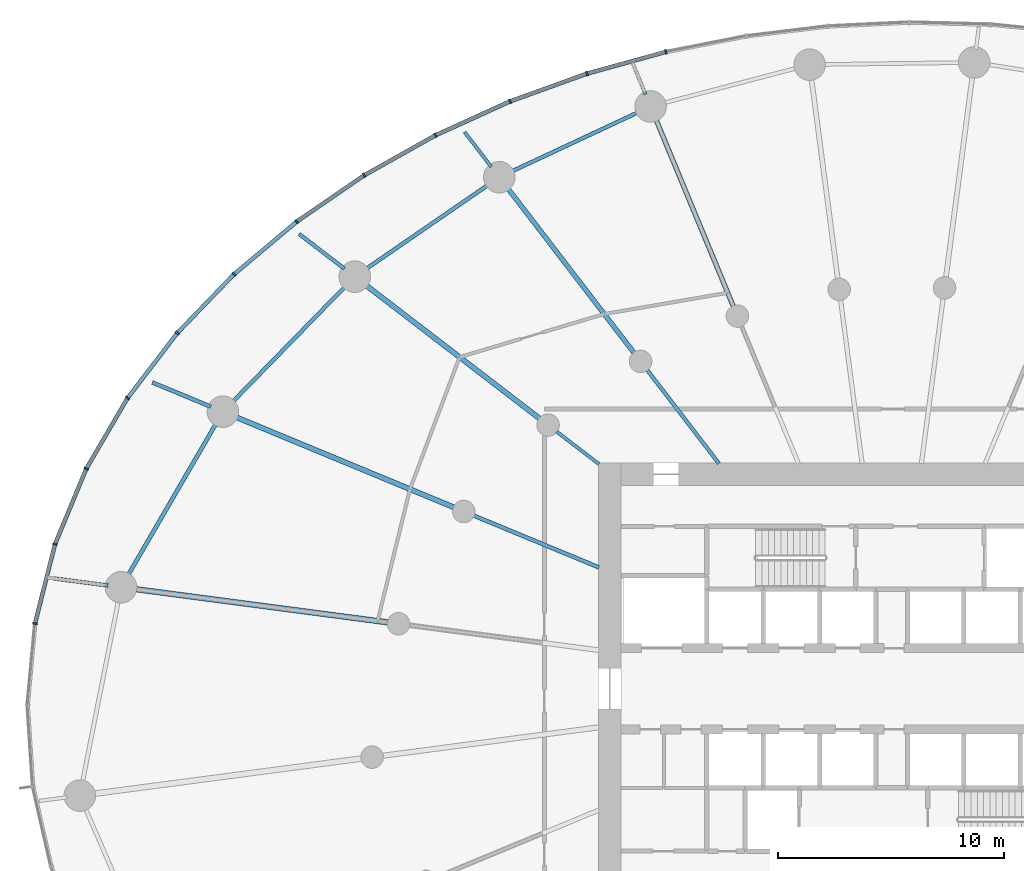
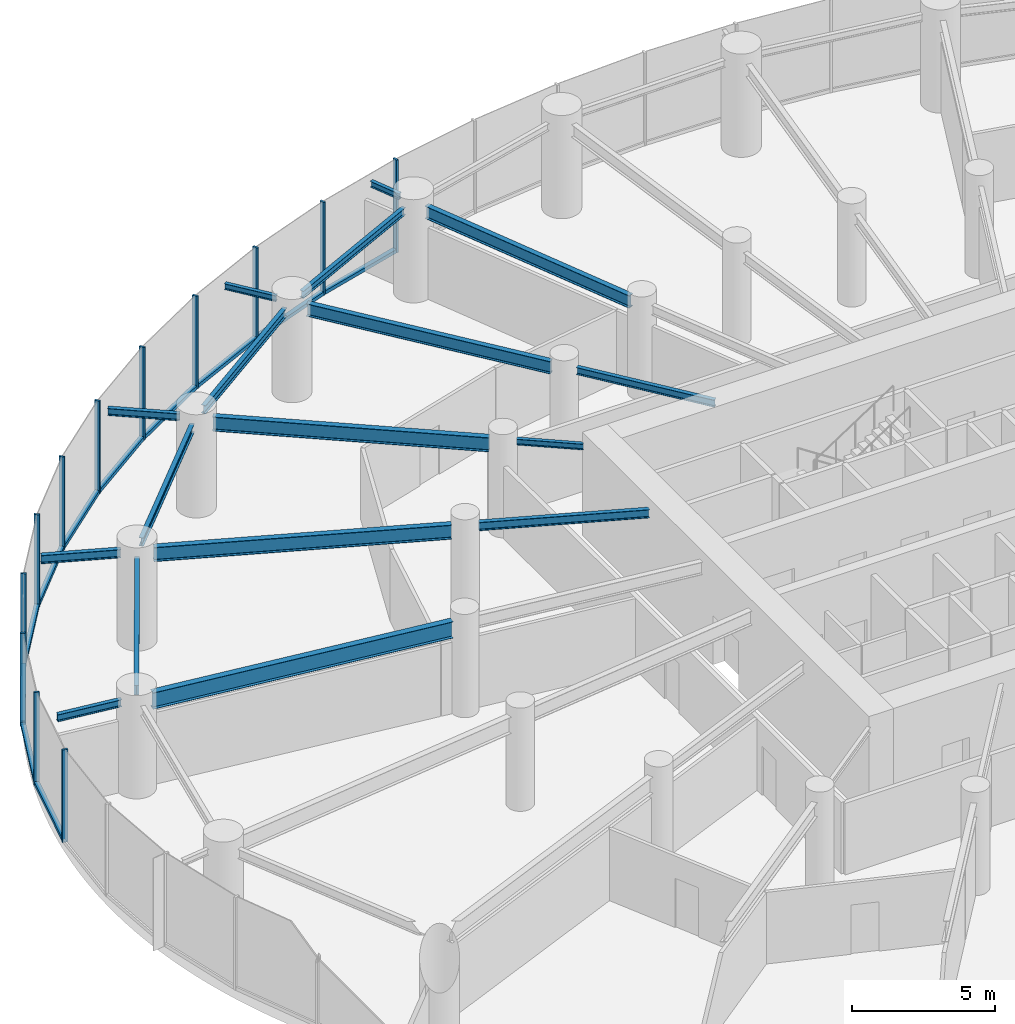
# One storey, part 6 of 19: 23 members, 17 beams, 3 elements without a shape of their own.
"""IFC4 building model written with IfcOpenShell, lengths in metres."""

from ifc_helpers import new_model, si_unit, direction, frame, origin, origin_2d, place, context, subcontext, project, spatial, rectangle, i_section, extrude, source, transform, mapped, material, layer, layer_set, material_profile, profile_set, type_object, element, aggregate, save


model = new_model("IFC4")

# Units and contexts
model_context = context("Model", 3, precision=1e-05, world=origin(), true_north=direction((0.0, 1.0)))
body_context = subcontext(model_context, "Body", "Model", "MODEL_VIEW")
ifc_project = project(units=[si_unit("LENGTHUNIT", "METRE"), si_unit("AREAUNIT", "SQUARE_METRE"), si_unit("VOLUMEUNIT", "CUBIC_METRE"), si_unit("PLANEANGLEUNIT", "RADIAN"), si_unit("MASSUNIT", "GRAM", prefix="KILO")], contexts=[model_context])

# Site, building, storey
site_placement = place(None, origin())
site = spatial("IfcSite", under=ifc_project, at=site_placement, CompositionType="ELEMENT")
building_placement = place(site_placement, origin())
building = spatial("IfcBuilding", under=site, at=building_placement, Name="Spindrift Exchange Tower", CompositionType="ELEMENT")
storey_placement = place(building_placement, frame((0.0, 0.0, 31.39990234375)))
storey = spatial("IfcBuildingStorey", under=building, at=storey_placement, Name="L07", CompositionType="ELEMENT", Elevation=31.39990234375)

# Beams
ifc_material_1 = material(Name="Steel Grade 300", Category="steel")
ifc_material_profile_1 = material_profile(ifc_material_1, i_section(OverallWidth=0.208984375, OverallDepth=0.532958984375, WebThickness=0.01025390625, FlangeThickness=0.015625, FilletRadius=0.013916015625, at=origin_2d()), Name="530UB92.4")
ifc_profile_set_1 = profile_set([ifc_material_profile_1], Name="Steel Grade 300")
beam_type_1 = type_object("IfcBeamType", Name="Floor Beam 530UB92.4 Steel Grade 300", PredefinedType="BEAM", material=ifc_profile_set_1)
shared_shape_1 = source(origin(), body_context, "Body", "SweptSolid", [
    extrude(i_section(OverallWidth=0.208984375, OverallDepth=0.532958984375, WebThickness=0.01025390625, FlangeThickness=0.015625, FilletRadius=0.013916015625, at=origin_2d()), origin(), (0.0, 0.0, 1.0), 8.99658203125),
])
beam_1_placement = place(storey_placement, frame((44.974609375, 64.9609375, 3.68359375), z_axis=(-0.382685731718, 0.923878580085, 0.0), x_axis=(-0.923878580085, -0.382685731718, 0.0)))
element("IfcBeam", 1, at=beam_1_placement, inside=storey, type_object=beam_type_1, Name="L07 radial beam R08B", PredefinedType="BEAM", context=body_context, shape_type="MappedRepresentation", body=[
    mapped(shared_shape_1, transform((0.0, 0.0, 0.0), scale=1.0)),
])
ifc_material_profile_2 = material_profile(ifc_material_1, i_section(OverallWidth=0.1650390625, OverallDepth=0.303955078125, WebThickness=0.006103515625, FlangeThickness=0.01025390625, FilletRadius=0.011474609375, at=origin_2d()), Name="310UB40.4")
ifc_profile_set_2 = profile_set([ifc_material_profile_2], Name="Steel Grade 300")
beam_type_2 = type_object("IfcBeamType", Name="Floor Beam 310UB40.4 Steel Grade 300", PredefinedType="BEAM", material=ifc_profile_set_2)
shared_shape_2 = source(origin(), body_context, "Body", "SweptSolid", [
    extrude(i_section(OverallWidth=0.1650390625, OverallDepth=0.303955078125, WebThickness=0.006103515625, FlangeThickness=0.01025390625, FilletRadius=0.011474609375, at=origin_2d()), origin(), (0.0, 0.0, 1.0), 5.224609375),
])
beam_2_placement = place(storey_placement, frame((44.3388671875, 57.984130859375, 3.798095703125), z_axis=(-0.608741499316, 0.793368632485, 0.0), x_axis=(-0.793368632485, -0.608741499316, 0.0)))
element("IfcBeam", 2, at=beam_2_placement, inside=storey, type_object=beam_type_2, Name="L07 radial beam R09A", PredefinedType="BEAM", context=body_context, shape_type="MappedRepresentation", body=[
    mapped(shared_shape_2, transform((0.0, 0.0, 0.0), scale=1.0)),
])
shared_shape_3 = source(origin(), body_context, "Body", "SweptSolid", [
    extrude(i_section(OverallWidth=0.208984375, OverallDepth=0.532958984375, WebThickness=0.01025390625, FlangeThickness=0.015625, FilletRadius=0.013916015625, at=origin_2d()), origin(), (0.0, 0.0, 1.0), 9.227783203125),
])
beam_3_placement = place(storey_placement, frame((40.573974609375, 62.890625, 3.68359375), z_axis=(-0.608747534474, 0.79336400175, 0.0), x_axis=(-0.79336400175, -0.608747534474, 0.0)))
element("IfcBeam", 3, at=beam_3_placement, inside=storey, type_object=beam_type_1, Name="L07 radial beam R09B", PredefinedType="BEAM", context=body_context, shape_type="MappedRepresentation", body=[
    mapped(shared_shape_3, transform((0.0, 0.0, 0.0), scale=1.0)),
])
ifc_material_profile_3 = material_profile(ifc_material_1, i_section(OverallWidth=0.14599609375, OverallDepth=0.251953125, WebThickness=0.006103515625, FlangeThickness=0.008544921875, FilletRadius=0.011962890625, at=origin_2d()), Name="250UB31.4")
ifc_profile_set_3 = profile_set([ifc_material_profile_3], Name="Steel Grade 300")
beam_type_3 = type_object("IfcBeamType", Name="Floor Beam 250UB31.4 Steel Grade 300", PredefinedType="BEAM", material=ifc_profile_set_3)
shared_shape_4 = source(origin(), body_context, "Body", "SweptSolid", [
    extrude(i_section(OverallWidth=0.14599609375, OverallDepth=0.251953125, WebThickness=0.006103515625, FlangeThickness=0.008544921875, FilletRadius=0.011962890625, at=origin_2d()), origin(), (0.0, 0.0, 1.0), 2.353759765625),
])
beam_4_placement = place(storey_placement, frame((39.015869140625, 57.963134765625, 3.82421875), z_axis=(-0.793367573265, 0.608742879787, 0.0), x_axis=(-0.608742879787, -0.793367573265, 0.0)))
element("IfcBeam", 4, at=beam_4_placement, inside=storey, type_object=beam_type_3, Name="L07 radial beam R10A", PredefinedType="BEAM", context=body_context, shape_type="MappedRepresentation", body=[
    mapped(shared_shape_4, transform((0.0, 0.0, 0.0), scale=1.0)),
])
ifc_material_profile_4 = material_profile(ifc_material_1, i_section(OverallWidth=0.22802734375, OverallDepth=0.60693359375, WebThickness=0.01123046875, FlangeThickness=0.017333984375, FilletRadius=0.013916015625, at=origin_2d()), Name="610UB113")
ifc_profile_set_4 = profile_set([ifc_material_profile_4], Name="Steel Grade 300")
beam_type_4 = type_object("IfcBeamType", Name="Floor Beam 610UB113 Steel Grade 300", PredefinedType="BEAM", material=ifc_profile_set_4)
shared_shape_5 = source(origin(), body_context, "Body", "SweptSolid", [
    extrude(i_section(OverallWidth=0.22802734375, OverallDepth=0.60693359375, WebThickness=0.01123046875, FlangeThickness=0.017333984375, FilletRadius=0.013916015625, at=origin_2d()), origin(), (0.0, 0.0, 1.0), 9.73974609375),
])
beam_5_placement = place(storey_placement, frame((36.38671875, 59.98046875, 3.646484375), z_axis=(-0.793352119621, 0.608763019814, 0.0), x_axis=(-0.608763019814, -0.793352119621, 0.0)))
element("IfcBeam", 5, at=beam_5_placement, inside=storey, type_object=beam_type_4, Name="L07 radial beam R10B", PredefinedType="BEAM", context=body_context, shape_type="MappedRepresentation", body=[
    mapped(shared_shape_5, transform((0.0, 0.0, 0.0), scale=1.0)),
])
ifc_material_profile_5 = material_profile(ifc_material_1, i_section(OverallWidth=0.172119140625, OverallDepth=0.35888671875, WebThickness=0.008056640625, FlangeThickness=0.012939453125, FilletRadius=0.013916015625, at=origin_2d()), Name="360UB56.7")
ifc_profile_set_5 = profile_set([ifc_material_profile_5], Name="Steel Grade 300")
beam_type_5 = type_object("IfcBeamType", Name="Floor Beam 360UB56.7 Steel Grade 300", PredefinedType="BEAM", material=ifc_profile_set_5)
shared_shape_6 = source(origin(), body_context, "Body", "SweptSolid", [
    extrude(i_section(OverallWidth=0.172119140625, OverallDepth=0.35888671875, WebThickness=0.008056640625, FlangeThickness=0.012939453125, FilletRadius=0.013916015625, at=origin_2d()), origin(), (0.0, 0.0, 1.0), 6.004638671875),
])
beam_6_placement = place(storey_placement, frame((39.0185546875, 53.377197265625, 3.7705078125), z_axis=(-0.923882044911, 0.38267736684, 0.0), x_axis=(-0.38267736684, -0.923882044911, 0.0)))
element("IfcBeam", 6, at=beam_6_placement, inside=storey, type_object=beam_type_5, Name="L07 radial beam R11A", PredefinedType="BEAM", context=body_context, shape_type="MappedRepresentation", body=[
    mapped(shared_shape_6, transform((0.0, 0.0, 0.0), scale=1.0)),
])
shared_shape_7 = source(origin(), body_context, "Body", "SweptSolid", [
    extrude(i_section(OverallWidth=0.22802734375, OverallDepth=0.60693359375, WebThickness=0.01123046875, FlangeThickness=0.017333984375, FilletRadius=0.013916015625, at=origin_2d()), origin(), (0.0, 0.0, 1.0), 10.4912109375),
])
beam_7_placement = place(storey_placement, frame((32.583984375, 56.04248046875, 3.646484375), z_axis=(-0.923885231151, 0.382669674342, 0.0), x_axis=(-0.382669674342, -0.923885231151, 0.0)))
element("IfcBeam", 7, at=beam_7_placement, inside=storey, type_object=beam_type_4, Name="L07 radial beam R11B", PredefinedType="BEAM", context=body_context, shape_type="MappedRepresentation", body=[
    mapped(shared_shape_7, transform((0.0, 0.0, 0.0), scale=1.0)),
])
ifc_material_profile_6 = material_profile(ifc_material_1, i_section(OverallWidth=0.25, OverallDepth=0.699951171875, WebThickness=0.008056640625, FlangeThickness=0.011962890625, at=origin_2d()), Name="700WB115")
ifc_profile_set_6 = profile_set([ifc_material_profile_6], Name="Steel Grade 300")
beam_type_6 = type_object("IfcBeamType", Name="Floor Beam 700WB115 Steel Grade 300", PredefinedType="BEAM", material=ifc_profile_set_6)
shared_shape_8 = source(origin(), body_context, "Body", "SweptSolid", [
    extrude(i_section(OverallWidth=0.25, OverallDepth=0.699951171875, WebThickness=0.008056640625, FlangeThickness=0.011962890625, at=origin_2d()), origin(), (0.0, 0.0, 1.0), 11.34423828125),
])
beam_8_placement = place(storey_placement, frame((29.660888671875, 50.94091796875, 3.60009765625), z_axis=(-0.991444770187, 0.130526884848, 0.0), x_axis=(-0.130526884848, -0.991444770187, 0.0)))
element("IfcBeam", 8, at=beam_8_placement, inside=storey, type_object=beam_type_6, Name="L07 radial beam R12B", PredefinedType="BEAM", context=body_context, shape_type="MappedRepresentation", body=[
    mapped(shared_shape_8, transform((0.0, 0.0, 0.0), scale=1.0)),
])
ifc_material_profile_7 = material_profile(ifc_material_1, i_section(OverallWidth=0.1650390625, OverallDepth=0.303955078125, WebThickness=0.006103515625, FlangeThickness=0.01025390625, FilletRadius=0.011474609375, at=origin_2d()), Name="310UB40.4")
ifc_profile_set_7 = profile_set([ifc_material_profile_7], Name="Steel Grade 300")
beam_type_7 = type_object("IfcBeamType", Name="Edge Beam 310UB40.4 Steel Grade 300", PredefinedType="SPANDREL", material=ifc_profile_set_7)
shared_shape_9 = source(origin(), body_context, "Body", "SweptSolid", [
    extrude(i_section(OverallWidth=0.1650390625, OverallDepth=0.303955078125, WebThickness=0.006103515625, FlangeThickness=0.01025390625, FilletRadius=0.011474609375, at=origin_2d()), origin(), (0.0, 0.0, 1.0), 6.243408203125),
])
beam_9_placement = place(storey_placement, frame((40.7841796875, 73.56298828125, 3.798095703125), z_axis=(-0.905791146607, -0.423724437257, 0.0), x_axis=(0.423724437257, -0.905791146607, 0.0)))
element("IfcBeam", 9, at=beam_9_placement, inside=storey, type_object=beam_type_7, Name="L07 edge beam E08", PredefinedType="SPANDREL", context=body_context, shape_type="MappedRepresentation", body=[
    mapped(shared_shape_9, transform((0.0, 0.0, 0.0), scale=1.0)),
])
ifc_material_profile_8 = material_profile(ifc_material_1, i_section(OverallWidth=0.172119140625, OverallDepth=0.35888671875, WebThickness=0.008056640625, FlangeThickness=0.012939453125, FilletRadius=0.013916015625, at=origin_2d()), Name="360UB56.7")
ifc_profile_set_8 = profile_set([ifc_material_profile_8], Name="Steel Grade 300")
beam_type_8 = type_object("IfcBeamType", Name="Edge Beam 360UB56.7 Steel Grade 300", PredefinedType="SPANDREL", material=ifc_profile_set_8)
shared_shape_10 = source(origin(), body_context, "Body", "SweptSolid", [
    extrude(i_section(OverallWidth=0.172119140625, OverallDepth=0.35888671875, WebThickness=0.008056640625, FlangeThickness=0.012939453125, FilletRadius=0.013916015625, at=origin_2d()), origin(), (0.0, 0.0, 1.0), 6.614990234375),
])
beam_10_placement = place(storey_placement, frame((34.125732421875, 70.3427734375, 3.7705078125), z_axis=(-0.823690708835, -0.567039342708, 0.0), x_axis=(0.567039342708, -0.823690708835, 0.0)))
element("IfcBeam", 10, at=beam_10_placement, inside=storey, type_object=beam_type_8, Name="L07 edge beam E09", PredefinedType="SPANDREL", context=body_context, shape_type="MappedRepresentation", body=[
    mapped(shared_shape_10, transform((0.0, 0.0, 0.0), scale=1.0)),
])
shared_shape_11 = source(origin(), body_context, "Body", "SweptSolid", [
    extrude(i_section(OverallWidth=0.172119140625, OverallDepth=0.35888671875, WebThickness=0.008056640625, FlangeThickness=0.012939453125, FilletRadius=0.013916015625, at=origin_2d()), origin(), (0.0, 0.0, 1.0), 7.2041015625),
])
beam_11_placement = place(storey_placement, frame((27.794189453125, 65.847900390625, 3.7705078125), z_axis=(-0.698703626006, -0.715411240481, 0.0), x_axis=(0.715411240481, -0.698703626006, 0.0)))
element("IfcBeam", 11, at=beam_11_placement, inside=storey, type_object=beam_type_8, Name="L07 edge beam E10", PredefinedType="SPANDREL", context=body_context, shape_type="MappedRepresentation", body=[
    mapped(shared_shape_11, transform((0.0, 0.0, 0.0), scale=1.0)),
])
ifc_material_profile_9 = material_profile(ifc_material_1, i_section(OverallWidth=0.177978515625, OverallDepth=0.406005859375, WebThickness=0.0078125, FlangeThickness=0.0126953125, FilletRadius=0.013916015625, at=origin_2d()), Name="410UB59.7")
ifc_profile_set_9 = profile_set([ifc_material_profile_9], Name="Steel Grade 300")
beam_type_9 = type_object("IfcBeamType", Name="Edge Beam 410UB59.7 Steel Grade 300", PredefinedType="SPANDREL", material=ifc_profile_set_9)
shared_shape_12 = source(origin(), body_context, "Body", "SweptSolid", [
    extrude(i_section(OverallWidth=0.177978515625, OverallDepth=0.406005859375, WebThickness=0.0078125, FlangeThickness=0.0126953125, FilletRadius=0.013916015625, at=origin_2d()), origin(), (0.0, 0.0, 1.0), 7.837646484375),
])
beam_12_placement = place(storey_placement, frame((22.064208984375, 59.777587890625, 3.7470703125), z_axis=(-0.50198145655, -0.864878382942, 0.0), x_axis=(0.864878382942, -0.50198145655, 0.0)))
element("IfcBeam", 12, at=beam_12_placement, inside=storey, type_object=beam_type_9, Name="L07 edge beam E11", PredefinedType="SPANDREL", context=body_context, shape_type="MappedRepresentation", body=[
    mapped(shared_shape_12, transform((0.0, 0.0, 0.0), scale=1.0)),
])
ifc_material_profile_10 = material_profile(ifc_material_1, i_section(OverallWidth=0.14599609375, OverallDepth=0.251953125, WebThickness=0.006103515625, FlangeThickness=0.008544921875, FilletRadius=0.011962890625, at=origin_2d()), Name="250UB31.4")
ifc_profile_set_10 = profile_set([ifc_material_profile_10], Name="Steel Grade 300")
beam_type_10 = type_object("IfcBeamType", Name="Cantilever Beam 250UB31.4 Steel Grade 300", PredefinedType="BEAM", material=ifc_profile_set_10)
shared_shape_13 = source(origin(), body_context, "Body", "SweptSolid", [
    extrude(i_section(OverallWidth=0.14599609375, OverallDepth=0.251953125, WebThickness=0.006103515625, FlangeThickness=0.008544921875, FilletRadius=0.011962890625, at=origin_2d()), origin(), (0.0, 0.0, 1.0), 1.27294921875),
])
beam_13_placement = place(storey_placement, frame((41.087890625, 74.344482421875, 3.82421875), z_axis=(-0.382803464706, 0.923829804352, 0.0), x_axis=(-0.923829804352, -0.382803464706, 0.0)))
element("IfcBeam", 13, at=beam_13_placement, inside=storey, type_object=beam_type_10, Name="L07 cantilever beam R08T", PredefinedType="BEAM", context=body_context, shape_type="MappedRepresentation", body=[
    mapped(shared_shape_13, transform((0.0, 0.0, 0.0), scale=1.0)),
])
shared_shape_14 = source(origin(), body_context, "Body", "SweptSolid", [
    extrude(i_section(OverallWidth=0.14599609375, OverallDepth=0.251953125, WebThickness=0.006103515625, FlangeThickness=0.008544921875, FilletRadius=0.011962890625, at=origin_2d()), origin(), (0.0, 0.0, 1.0), 1.946044921875),
])
beam_14_placement = place(storey_placement, frame((34.250244140625, 71.1318359375, 3.82421875), z_axis=(-0.608715955057, 0.793388231611, 0.0), x_axis=(-0.793388231611, -0.608715955057, 0.0)))
element("IfcBeam", 14, at=beam_14_placement, inside=storey, type_object=beam_type_10, Name="L07 cantilever beam R09T", PredefinedType="BEAM", context=body_context, shape_type="MappedRepresentation", body=[
    mapped(shared_shape_14, transform((0.0, 0.0, 0.0), scale=1.0)),
])
ifc_material_profile_11 = material_profile(ifc_material_1, i_section(OverallWidth=0.1650390625, OverallDepth=0.303955078125, WebThickness=0.006103515625, FlangeThickness=0.01025390625, FilletRadius=0.011474609375, at=origin_2d()), Name="310UB40.4")
ifc_profile_set_11 = profile_set([ifc_material_profile_11], Name="Steel Grade 300")
beam_type_11 = type_object("IfcBeamType", Name="Cantilever Beam 310UB40.4 Steel Grade 300", PredefinedType="BEAM", material=ifc_profile_set_11)
shared_shape_15 = source(origin(), body_context, "Body", "SweptSolid", [
    extrude(i_section(OverallWidth=0.1650390625, OverallDepth=0.303955078125, WebThickness=0.006103515625, FlangeThickness=0.01025390625, FilletRadius=0.011474609375, at=origin_2d()), origin(), (0.0, 0.0, 1.0), 2.533447265625),
])
beam_15_placement = place(storey_placement, frame((27.7392578125, 66.615966796875, 3.798095703125), z_axis=(-0.793372100086, 0.608736979988, 0.0), x_axis=(-0.608736979988, -0.793372100086, 0.0)))
element("IfcBeam", 15, at=beam_15_placement, inside=storey, type_object=beam_type_11, Name="L07 cantilever beam R10T", PredefinedType="BEAM", context=body_context, shape_type="MappedRepresentation", body=[
    mapped(shared_shape_15, transform((0.0, 0.0, 0.0), scale=1.0)),
])
ifc_material_profile_12 = material_profile(ifc_material_1, i_section(OverallWidth=0.172119140625, OverallDepth=0.35888671875, WebThickness=0.008056640625, FlangeThickness=0.012939453125, FilletRadius=0.013916015625, at=origin_2d()), Name="360UB56.7")
ifc_profile_set_12 = profile_set([ifc_material_profile_12], Name="Steel Grade 300")
beam_type_12 = type_object("IfcBeamType", Name="Cantilever Beam 360UB56.7 Steel Grade 300", PredefinedType="BEAM", material=ifc_profile_set_12)
shared_shape_16 = source(origin(), body_context, "Body", "SweptSolid", [
    extrude(i_section(OverallWidth=0.172119140625, OverallDepth=0.35888671875, WebThickness=0.008056640625, FlangeThickness=0.012939453125, FilletRadius=0.013916015625, at=origin_2d()), origin(), (0.0, 0.0, 1.0), 2.806396484375),
])
beam_16_placement = place(storey_placement, frame((21.819580078125, 60.501220703125, 3.7705078125), z_axis=(-0.923877934132, 0.382687291172, 0.0), x_axis=(-0.382687291172, -0.923877934132, 0.0)))
element("IfcBeam", 16, at=beam_16_placement, inside=storey, type_object=beam_type_12, Name="L07 cantilever beam R11T", PredefinedType="BEAM", context=body_context, shape_type="MappedRepresentation", body=[
    mapped(shared_shape_16, transform((0.0, 0.0, 0.0), scale=1.0)),
])
shared_shape_17 = source(origin(), body_context, "Body", "SweptSolid", [
    extrude(i_section(OverallWidth=0.1650390625, OverallDepth=0.303955078125, WebThickness=0.006103515625, FlangeThickness=0.01025390625, FilletRadius=0.011474609375, at=origin_2d()), origin(), (0.0, 0.0, 1.0), 2.4150390625),
])
beam_17_placement = place(storey_placement, frame((17.263916015625, 52.572998046875, 3.798095703125), z_axis=(-0.99144637948, 0.130514660539, 0.0), x_axis=(-0.130514660539, -0.99144637948, 0.0)))
element("IfcBeam", 17, at=beam_17_placement, inside=storey, type_object=beam_type_11, Name="L07 cantilever beam R12T", PredefinedType="BEAM", context=body_context, shape_type="MappedRepresentation", body=[
    mapped(shared_shape_17, transform((0.0, 0.0, 0.0), scale=1.0)),
])

# Curtain wall, members
ifc_material_2 = material(Name="Fritted laminated glass with bronze frame", Category="glass")
ifc_layer = layer(ifc_material_2, 0.199951171875)
ifc_layer_set = layer_set([ifc_layer], Name="ZONE 1 BRONZE FRITTED WALL")
curtain_wall_type = type_object("IfcCurtainWallType", Name="ZONE 1 BRONZE FRITTED WALL", PredefinedType="NOTDEFINED", material=ifc_layer_set)
curtain_wall_1_placement = place(storey_placement, origin())
curtain_wall_1 = element("IfcCurtainWall", 18, at=curtain_wall_1_placement, inside=storey, type_object=curtain_wall_type, Name="L07 Zone 1 Bronze Fritted Wall run 5", PredefinedType="NOTDEFINED")
ifc_material_3 = material(Name="Bronze anodised aluminium", Category="aluminium")
ifc_material_profile_13 = material_profile(ifc_material_3, rectangle(XDim=0.179931640625, YDim=0.14990234375, at=origin_2d()), Name="ZONE 1 BRONZE FRITTED WALL TRANSOM 180X150")
ifc_profile_set_13 = profile_set([ifc_material_profile_13], Name="Bronze anodised aluminium")
member_type_1 = type_object("IfcMemberType", Name="ZONE 1 BRONZE FRITTED WALL TRANSOM 180X150", PredefinedType="USERDEFINED", material=ifc_profile_set_13)
shared_shape_18 = source(origin(), body_context, "Body", "SweptSolid", [
    extrude(rectangle(XDim=0.179931640625, YDim=0.14990234375, at=origin_2d()), origin(), (0.0, 0.0, 1.0), 3.545654296875),
])
member_1_placement = place(storey_placement, frame((18.10498046875, 60.850830078125, 0.0751953125), z_axis=(-0.504303365533, -0.863526557503, 0.0), x_axis=(0.863526557503, -0.504303365533, 0.0)))
member_1 = element("IfcMember", 19, at=member_1_placement, type_object=member_type_1, Name="L07 transom CW-1.26", ObjectType="TRANSOM", PredefinedType="USERDEFINED", context=body_context, shape_type="MappedRepresentation", body=[
    mapped(shared_shape_18, transform((0.0, 0.0, 0.0), scale=1.0)),
])
shared_shape_19 = source(origin(), body_context, "Body", "SweptSolid", [
    extrude(rectangle(XDim=0.179931640625, YDim=0.14990234375, at=origin_2d()), origin(), (0.0, 0.0, 1.0), 3.546142578125),
])
member_2_placement = place(storey_placement, frame((20.3046875, 63.733154296875, 0.0751953125), z_axis=(-0.607792488571, -0.79409589524, 0.0), x_axis=(0.79409589524, -0.607792488571, 0.0)))
member_2 = element("IfcMember", 20, at=member_2_placement, type_object=member_type_1, Name="L07 transom CW-1.25", ObjectType="TRANSOM", PredefinedType="USERDEFINED", context=body_context, shape_type="MappedRepresentation", body=[
    mapped(shared_shape_19, transform((0.0, 0.0, 0.0), scale=1.0)),
])

# Curtain wall, member
curtain_wall_2_placement = place(storey_placement, origin())
curtain_wall_2 = element("IfcCurtainWall", 21, at=curtain_wall_2_placement, inside=storey, type_object=curtain_wall_type, Name="L07 Zone 1 Bronze Fritted Wall run 4", PredefinedType="NOTDEFINED")
shared_shape_20 = source(origin(), body_context, "Body", "SweptSolid", [
    extrude(rectangle(XDim=0.179931640625, YDim=0.14990234375, at=origin_2d()), origin(), (0.0, 0.0, 1.0), 3.546875),
])
member_3_placement = place(storey_placement, frame((28.58154296875, 70.736572265625, 0.0751953125), z_axis=(-0.824455419624, -0.565926904337, 0.0), x_axis=(0.565926904337, -0.824455419624, 0.0)))
member_3 = element("IfcMember", 22, at=member_3_placement, type_object=member_type_1, Name="L07 transom CW-1.22", ObjectType="TRANSOM", PredefinedType="USERDEFINED", context=body_context, shape_type="MappedRepresentation", body=[
    mapped(shared_shape_20, transform((0.0, 0.0, 0.0), scale=1.0)),
])

curtain_wall_3_placement = place(storey_placement, origin())
curtain_wall_3 = element("IfcCurtainWall", 23, at=curtain_wall_3_placement, inside=storey, type_object=curtain_wall_type, Name="L07 Zone 1 Bronze Fritted Wall run 3", PredefinedType="NOTDEFINED")
shared_shape_21 = source(origin(), body_context, "Body", "SweptSolid", [
    extrude(rectangle(XDim=0.179931640625, YDim=0.14990234375, at=origin_2d()), origin(), (0.0, 0.0, 1.0), 3.54736328125),
])
member_4_placement = place(storey_placement, frame((41.94970703125, 76.22021484375, 0.0751953125), z_axis=(-0.964010259227, -0.26586504115, 0.0), x_axis=(0.26586504115, -0.964010259227, 0.0)))
member_4 = element("IfcMember", 24, at=member_4_placement, type_object=member_type_1, Name="L07 transom CW-1.18", ObjectType="TRANSOM", PredefinedType="USERDEFINED", context=body_context, shape_type="MappedRepresentation", body=[
    mapped(shared_shape_21, transform((0.0, 0.0, 0.0), scale=1.0)),
])

# Member
shared_shape_22 = source(origin(), body_context, "Body", "SweptSolid", [
    extrude(rectangle(XDim=0.179931640625, YDim=0.14990234375, at=origin_2d()), origin(), (0.0, 0.0, 1.0), 3.547119140625),
])
member_5_placement = place(storey_placement, frame((38.453857421875, 75.2529296875, 0.0751953125), z_axis=(-0.940648528632, -0.339382300043, 0.0), x_axis=(0.339382300043, -0.940648528632, 0.0)))
member_5 = element("IfcMember", 25, at=member_5_placement, type_object=member_type_1, Name="L07 transom CW-1.19", ObjectType="TRANSOM", PredefinedType="USERDEFINED", context=body_context, shape_type="MappedRepresentation", body=[
    mapped(shared_shape_22, transform((0.0, 0.0, 0.0), scale=1.0)),
])

member_6_placement = place(storey_placement, frame((35.04296875, 74.01904296875, 0.0751953125), z_axis=(-0.91030989857, -0.413927395282, 0.0), x_axis=(0.413927395282, -0.91030989857, 0.0)))
member_6 = element("IfcMember", 26, at=member_6_placement, type_object=member_type_1, Name="L07 transom CW-1.20", ObjectType="TRANSOM", PredefinedType="USERDEFINED", context=body_context, shape_type="MappedRepresentation", body=[
    mapped(shared_shape_22, transform((0.0, 0.0, 0.0), scale=1.0)),
])

member_7_placement = place(storey_placement, frame((31.74267578125, 72.5146484375, 0.0751953125), z_axis=(-0.87207139912, -0.489378662016, 0.0), x_axis=(0.489378662016, -0.87207139912, 0.0)))
member_7 = element("IfcMember", 27, at=member_7_placement, type_object=member_type_1, Name="L07 transom CW-1.21", ObjectType="TRANSOM", PredefinedType="USERDEFINED", context=body_context, shape_type="MappedRepresentation", body=[
    mapped(shared_shape_22, transform((0.0, 0.0, 0.0), scale=1.0)),
])

shared_shape_23 = source(origin(), body_context, "Body", "SweptSolid", [
    extrude(rectangle(XDim=0.179931640625, YDim=0.14990234375, at=origin_2d()), origin(), (0.0, 0.0, 1.0), 3.54638671875),
])
member_8_placement = place(storey_placement, frame((22.819091796875, 66.345947265625, 0.0751953125), z_axis=(-0.694326643723, -0.719659997371, 0.0), x_axis=(0.719659997371, -0.694326643723, 0.0)))
member_8 = element("IfcMember", 28, at=member_8_placement, type_object=member_type_1, Name="L07 transom CW-1.24", ObjectType="TRANSOM", PredefinedType="USERDEFINED", context=body_context, shape_type="MappedRepresentation", body=[
    mapped(shared_shape_23, transform((0.0, 0.0, 0.0), scale=1.0)),
])

shared_shape_24 = source(origin(), body_context, "Body", "SweptSolid", [
    extrude(rectangle(XDim=0.179931640625, YDim=0.14990234375, at=origin_2d()), origin(), (0.0, 0.0, 1.0), 3.545166015625),
])
member_9_placement = place(storey_placement, frame((16.281494140625, 57.717529296875, 0.0751953125), z_axis=(-0.382961992008, -0.923764100124, 0.0), x_axis=(0.923764100124, -0.382961992008, 0.0)))
member_9 = element("IfcMember", 29, at=member_9_placement, type_object=member_type_1, Name="L07 transom CW-1.27", ObjectType="TRANSOM", PredefinedType="USERDEFINED", context=body_context, shape_type="MappedRepresentation", body=[
    mapped(shared_shape_24, transform((0.0, 0.0, 0.0), scale=1.0)),
])

shared_shape_25 = source(origin(), body_context, "Body", "SweptSolid", [
    extrude(rectangle(XDim=0.179931640625, YDim=0.14990234375, at=origin_2d()), origin(), (0.0, 0.0, 1.0), 3.546630859375),
])
member_10_placement = place(storey_placement, frame((25.59375, 68.680908203125, 0.0751953125), z_axis=(-0.765868922596, -0.64299672892, 0.0), x_axis=(0.64299672892, -0.765868922596, 0.0)))
member_10 = element("IfcMember", 30, at=member_10_placement, type_object=member_type_1, Name="L07 transom CW-1.23", ObjectType="TRANSOM", PredefinedType="USERDEFINED", context=body_context, shape_type="MappedRepresentation", body=[
    mapped(shared_shape_25, transform((0.0, 0.0, 0.0), scale=1.0)),
])

shared_shape_26 = source(origin(), body_context, "Body", "SweptSolid", [
    extrude(rectangle(XDim=0.179931640625, YDim=0.14990234375, at=origin_2d()), origin(), (0.0, 0.0, 1.0), 3.544677734375),
])
member_11_placement = place(storey_placement, frame((14.89892578125, 54.36669921875, 0.0751953125), z_axis=(-0.244577045003, -0.969629861884, 0.0), x_axis=(0.969629861884, -0.244577045003, 0.0)))
member_11 = element("IfcMember", 31, at=member_11_placement, type_object=member_type_1, Name="L07 transom CW-1.28", ObjectType="TRANSOM", PredefinedType="USERDEFINED", context=body_context, shape_type="MappedRepresentation", body=[
    mapped(shared_shape_26, transform((0.0, 0.0, 0.0), scale=1.0)),
])

ifc_material_profile_14 = material_profile(ifc_material_3, rectangle(XDim=0.080078125, YDim=0.199951171875, at=origin_2d()), Name="ZONE 1 BRONZE FRITTED WALL MULLION 80X200")
ifc_profile_set_14 = profile_set([ifc_material_profile_14], Name="Bronze anodised aluminium")
member_type_2 = type_object("IfcMemberType", Name="ZONE 1 BRONZE FRITTED WALL MULLION 80X200", PredefinedType="MULLION", material=ifc_profile_set_14)
shared_shape_27 = source(origin(), body_context, "Body", "SweptSolid", [
    extrude(rectangle(XDim=0.080078125, YDim=0.199951171875, at=origin_2d()), origin(), (0.0, 0.0, 1.0), 3.9501953125),
])
member_12_placement = place(storey_placement, frame((41.98828125, 76.230712890625, 0.0), z_axis=(0.0, 0.0, 1.0), x_axis=(-0.973291951071, -0.229570856122, 0.0)))
member_12 = element("IfcMember", 32, at=member_12_placement, type_object=member_type_2, Name="L07 mullion CW-1.18", PredefinedType="MULLION", context=body_context, shape_type="MappedRepresentation", body=[
    mapped(shared_shape_27, transform((0.0, 0.0, 0.0), scale=1.0)),
])

aggregate(curtain_wall_3, [member_12, member_4])

member_13_placement = place(storey_placement, frame((38.491455078125, 75.2666015625, 0.0), z_axis=(0.0, 0.0, 1.0), x_axis=(-0.953043382836, -0.302833800016, 0.0)))
member_13 = element("IfcMember", 33, at=member_13_placement, type_object=member_type_2, Name="L07 mullion CW-1.19", PredefinedType="MULLION", context=body_context, shape_type="MappedRepresentation", body=[
    mapped(shared_shape_27, transform((0.0, 0.0, 0.0), scale=1.0)),
])

member_14_placement = place(storey_placement, frame((35.07958984375, 74.035400390625, 0.0), z_axis=(0.0, 0.0, 1.0), x_axis=(-0.926241087346, -0.376931622596, 0.0)))
member_14 = element("IfcMember", 34, at=member_14_placement, type_object=member_type_2, Name="L07 mullion CW-1.20", PredefinedType="MULLION", context=body_context, shape_type="MappedRepresentation", body=[
    mapped(shared_shape_27, transform((0.0, 0.0, 0.0), scale=1.0)),
])

member_15_placement = place(storey_placement, frame((31.777587890625, 72.5341796875, 0.0), z_axis=(0.0, 0.0, 1.0), x_axis=(-0.891993797799, -0.452047635419, 0.0)))
member_15 = element("IfcMember", 35, at=member_15_placement, type_object=member_type_2, Name="L07 mullion CW-1.21", PredefinedType="MULLION", context=body_context, shape_type="MappedRepresentation", body=[
    mapped(shared_shape_27, transform((0.0, 0.0, 0.0), scale=1.0)),
])

member_16_placement = place(storey_placement, frame((28.614501953125, 70.75927734375, 0.0), z_axis=(0.0, 0.0, 1.0), x_axis=(-0.8491195131, -0.528200769096, 0.0)))
member_16 = element("IfcMember", 36, at=member_16_placement, type_object=member_type_2, Name="L07 mullion CW-1.22", PredefinedType="MULLION", context=body_context, shape_type="MappedRepresentation", body=[
    mapped(shared_shape_27, transform((0.0, 0.0, 0.0), scale=1.0)),
])

member_17_placement = place(storey_placement, frame((25.624267578125, 68.70654296875, 0.0), z_axis=(0.0, 0.0, 1.0), x_axis=(-0.796095999712, -0.605170355555, 0.0)))
member_17 = element("IfcMember", 37, at=member_17_placement, type_object=member_type_2, Name="L07 mullion CW-1.23", PredefinedType="MULLION", context=body_context, shape_type="MappedRepresentation", body=[
    mapped(shared_shape_27, transform((0.0, 0.0, 0.0), scale=1.0)),
])

member_18_placement = place(storey_placement, frame((22.8466796875, 66.374755859375, 0.0), z_axis=(0.0, 0.0, 1.0), x_axis=(-0.731100692789, -0.682269577955, 0.0)))
member_18 = element("IfcMember", 38, at=member_18_placement, type_object=member_type_2, Name="L07 mullion CW-1.24", PredefinedType="MULLION", context=body_context, shape_type="MappedRepresentation", body=[
    mapped(shared_shape_27, transform((0.0, 0.0, 0.0), scale=1.0)),
])

aggregate(curtain_wall_2, [member_13, member_5, member_14, member_6, member_15, member_7, member_16, member_3, member_17, member_10, member_18, member_8])

member_19_placement = place(storey_placement, frame((20.328857421875, 63.764892578125, 0.0), z_axis=(0.0, 0.0, 1.0), x_axis=(-0.652108716334, -0.758125465923, 0.0)))
member_19 = element("IfcMember", 39, at=member_19_placement, type_object=member_type_2, Name="L07 mullion CW-1.25", PredefinedType="MULLION", context=body_context, shape_type="MappedRepresentation", body=[
    mapped(shared_shape_27, transform((0.0, 0.0, 0.0), scale=1.0)),
])

member_20_placement = place(storey_placement, frame((18.125, 60.885498046875, 0.0), z_axis=(0.0, 0.0, 1.0), x_axis=(-0.557112070694, -0.830437318939, 0.0)))
member_20 = element("IfcMember", 40, at=member_20_placement, type_object=member_type_2, Name="L07 mullion CW-1.26", PredefinedType="MULLION", context=body_context, shape_type="MappedRepresentation", body=[
    mapped(shared_shape_27, transform((0.0, 0.0, 0.0), scale=1.0)),
])

member_21_placement = place(storey_placement, frame((16.296630859375, 57.75439453125, 0.0), z_axis=(0.0, 0.0, 1.0), x_axis=(-0.444619817735, -0.895719385565, 0.0)))
member_21 = element("IfcMember", 41, at=member_21_placement, type_object=member_type_2, Name="L07 mullion CW-1.27", PredefinedType="MULLION", context=body_context, shape_type="MappedRepresentation", body=[
    mapped(shared_shape_27, transform((0.0, 0.0, 0.0), scale=1.0)),
])

member_22_placement = place(storey_placement, frame((14.90869140625, 54.405517578125, 0.0), z_axis=(0.0, 0.0, 1.0), x_axis=(-0.314556194826, -0.949238853133, 0.0)))
member_22 = element("IfcMember", 42, at=member_22_placement, type_object=member_type_2, Name="L07 mullion CW-1.28", PredefinedType="MULLION", context=body_context, shape_type="MappedRepresentation", body=[
    mapped(shared_shape_27, transform((0.0, 0.0, 0.0), scale=1.0)),
])

member_23_placement = place(storey_placement, frame((14.022216796875, 50.890869140625, 0.0), z_axis=(0.0, 0.0, 1.0), x_axis=(-0.169108475598, -0.985597444944, 0.0)))
member_23 = element("IfcMember", 43, at=member_23_placement, type_object=member_type_2, Name="L07 mullion CW-1.29", PredefinedType="MULLION", context=body_context, shape_type="MappedRepresentation", body=[
    mapped(shared_shape_27, transform((0.0, 0.0, 0.0), scale=1.0)),
])

aggregate(curtain_wall_1, [member_19, member_2, member_20, member_1, member_21, member_9, member_22, member_11, member_23])

save(model, "model.ifc")
